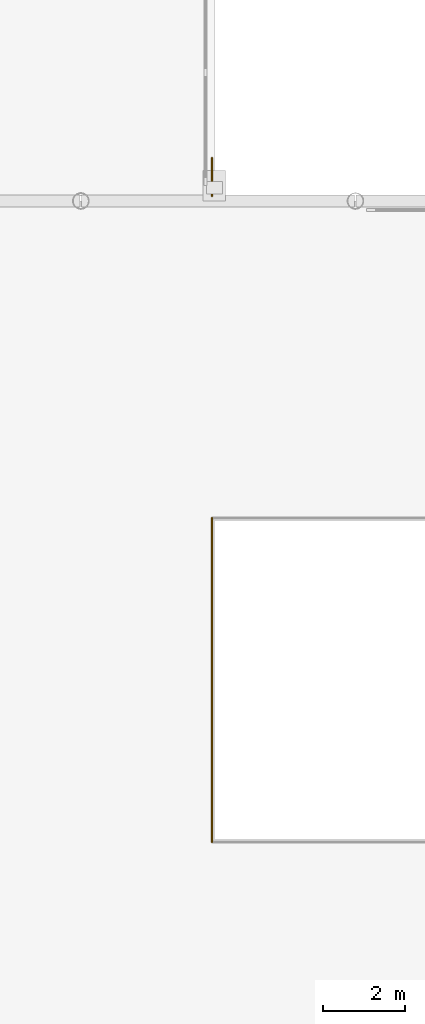
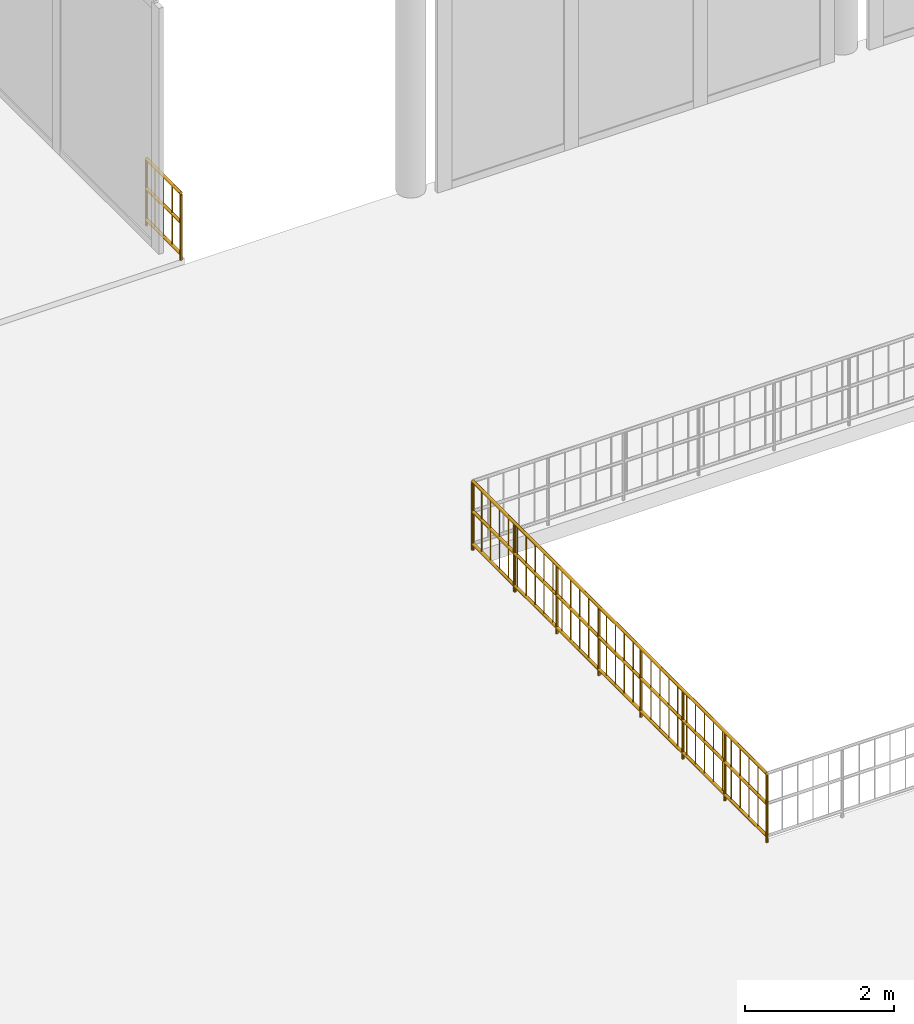
# One storey, part 88 of 98: 2 railings.
"""IFC4 building model written with IfcOpenShell, lengths in metres."""

from ifc_helpers import new_model, si_unit, direction, frame, origin, origin_2d, place, context, subcontext, project, spatial, circle, extrude, material, layer, layer_set, type_object, element, save


model = new_model("IFC4")

# Units and contexts
model_context = context("Model", 3, precision=1e-05, world=origin(), true_north=direction((0.0, 1.0)))
body_context = subcontext(model_context, "Body", "Model", "MODEL_VIEW")
ifc_project = project(units=[si_unit("LENGTHUNIT", "METRE"), si_unit("AREAUNIT", "SQUARE_METRE"), si_unit("VOLUMEUNIT", "CUBIC_METRE"), si_unit("PLANEANGLEUNIT", "RADIAN"), si_unit("MASSUNIT", "GRAM", prefix="KILO")], contexts=[model_context])

# Site, building, storey
site_placement = place(None, origin())
site = spatial("IfcSite", under=ifc_project, at=site_placement, CompositionType="ELEMENT")
building_placement = place(site_placement, origin())
building = spatial("IfcBuilding", under=site, at=building_placement, Name="Nabrawat Pavilion Hospital", CompositionType="ELEMENT")
storey_placement = place(building_placement, frame((0.0, 0.0, 10.199951171875)))
storey = spatial("IfcBuildingStorey", under=building, at=storey_placement, Name="L02", CompositionType="ELEMENT", Elevation=10.199951171875)

# Railings
ifc_material_1 = material(Name="Stainless Steel 316", Category="steel")
ifc_layer_1 = layer(ifc_material_1, 0.070068359375, Name="Stainless Steel 316")
ifc_layer_set_1 = layer_set([ifc_layer_1], Name="Stainless Steel 316")
railing_type_1 = type_object("IfcRailingType", Name="Exterior Clinical Terrace Safety Guardrail 1100", PredefinedType="GUARDRAIL", material=ifc_layer_set_1)
railing_1_placement = place(storey_placement, frame((75.5400390625, 39.1201171875, 0.0)))
element("IfcRailing", 1, at=railing_1_placement, inside=storey, type_object=railing_type_1, Name="L02 Courtyard Seismic Joint Corner Guardrail 03", PredefinedType="GUARDRAIL", context=body_context, shape_type="SweptSolid", body=[
    extrude(circle(Radius=0.02392578125, at=origin_2d()), frame((0.0, 0.0, 1.09619140625), z_axis=(0.0, 1.0, 0.0), x_axis=(-1.0, 0.0, 0.0)), (0.0, 0.0, 1.0), 0.929931640625),
    extrude(circle(Radius=0.02392578125, at=origin_2d()), frame((0.0, 0.0, 0.10009765625), z_axis=(0.0, 1.0, 0.0), x_axis=(-1.0, 0.0, 0.0)), (0.0, 0.0, 1.0), 0.929931640625),
    extrude(circle(Radius=0.02392578125, at=origin_2d()), frame((0.0, 0.0, 0.615966796875), z_axis=(0.0, 1.0, 0.0), x_axis=(-1.0, 0.0, 0.0)), (0.0, 0.0, 1.0), 0.929931640625),
    extrude(circle(Radius=0.008056640625, at=origin_2d()), frame((0.0, 0.232421875, 0.10009765625)), (0.0, 0.0, 1.0), 0.971923828125),
    extrude(circle(Radius=0.008056640625, at=origin_2d()), frame((0.0, 0.46484375, 0.10009765625)), (0.0, 0.0, 1.0), 0.971923828125),
    extrude(circle(Radius=0.008056640625, at=origin_2d()), frame((0.0, 0.697509765625, 0.10009765625)), (0.0, 0.0, 1.0), 0.971923828125),
    extrude(circle(Radius=0.02099609375, at=origin_2d()), origin(), (0.0, 0.0, 1.0), 1.072021484375),
    extrude(circle(Radius=0.02099609375, at=origin_2d()), frame((0.0, 0.929931640625, 0.0)), (0.0, 0.0, 1.0), 1.072021484375),
])
ifc_material_2 = material(Name="Laminated Toughened Glass and Stainless Steel", Category="steel")
ifc_layer_2 = layer(ifc_material_2, 0.080078125, Name="Laminated Toughened Glass and Stainless Steel")
ifc_layer_set_2 = layer_set([ifc_layer_2], Name="Laminated Toughened Glass and Stainless Steel")
railing_type_2 = type_object("IfcRailingType", Name="Main Hall Atrium Void Glass Balustrade 1150", PredefinedType="BALUSTRADE", material=ifc_layer_set_2)
railing_2_placement = place(storey_placement, frame((75.5400390625, 23.340087890625, 0.0)))
element("IfcRailing", 2, at=railing_2_placement, inside=storey, type_object=railing_type_2, Name="L02 Main Hall Atrium Gallery Balustrade West", PredefinedType="BALUSTRADE", context=body_context, shape_type="SweptSolid", body=[
    extrude(circle(Radius=0.02392578125, at=origin_2d()), frame((0.0, 0.0, 1.1259765625), z_axis=(0.0, 1.0, 0.0), x_axis=(-1.0, 0.0, 0.0)), (0.0, 0.0, 1.0), 7.919921875),
    extrude(circle(Radius=0.02392578125, at=origin_2d()), frame((0.0, 0.0, 0.10009765625), z_axis=(0.0, 1.0, 0.0), x_axis=(-1.0, 0.0, 0.0)), (0.0, 0.0, 1.0), 7.919921875),
    extrude(circle(Radius=0.02392578125, at=origin_2d()), frame((0.0, 0.0, 0.63232421875), z_axis=(0.0, 1.0, 0.0), x_axis=(-1.0, 0.0, 0.0)), (0.0, 0.0, 1.0), 7.919921875),
    extrude(circle(Radius=0.008056640625, at=origin_2d()), frame((0.0, 0.239990234375, 0.10009765625)), (0.0, 0.0, 1.0), 1.001708984375),
    extrude(circle(Radius=0.008056640625, at=origin_2d()), frame((0.0, 0.47998046875, 0.10009765625)), (0.0, 0.0, 1.0), 1.001708984375),
    extrude(circle(Radius=0.008056640625, at=origin_2d()), frame((0.0, 0.719970703125, 0.10009765625)), (0.0, 0.0, 1.0), 1.001708984375),
    extrude(circle(Radius=0.008056640625, at=origin_2d()), frame((0.0, 0.9599609375, 0.10009765625)), (0.0, 0.0, 1.0), 1.001708984375),
    extrude(circle(Radius=0.008056640625, at=origin_2d()), frame((0.0, 1.199951171875, 0.10009765625)), (0.0, 0.0, 1.0), 1.001708984375),
    extrude(circle(Radius=0.008056640625, at=origin_2d()), frame((0.0, 1.43994140625, 0.10009765625)), (0.0, 0.0, 1.0), 1.001708984375),
    extrude(circle(Radius=0.008056640625, at=origin_2d()), frame((0.0, 1.679931640625, 0.10009765625)), (0.0, 0.0, 1.0), 1.001708984375),
    extrude(circle(Radius=0.008056640625, at=origin_2d()), frame((0.0, 1.919921875, 0.10009765625)), (0.0, 0.0, 1.0), 1.001708984375),
    extrude(circle(Radius=0.008056640625, at=origin_2d()), frame((0.0, 2.159912109375, 0.10009765625)), (0.0, 0.0, 1.0), 1.001708984375),
    extrude(circle(Radius=0.008056640625, at=origin_2d()), frame((0.0, 2.39990234375, 0.10009765625)), (0.0, 0.0, 1.0), 1.001708984375),
    extrude(circle(Radius=0.008056640625, at=origin_2d()), frame((0.0, 2.639892578125, 0.10009765625)), (0.0, 0.0, 1.0), 1.001708984375),
    extrude(circle(Radius=0.008056640625, at=origin_2d()), frame((0.0, 2.8798828125, 0.10009765625)), (0.0, 0.0, 1.0), 1.001708984375),
    extrude(circle(Radius=0.008056640625, at=origin_2d()), frame((0.0, 3.119873046875, 0.10009765625)), (0.0, 0.0, 1.0), 1.001708984375),
    extrude(circle(Radius=0.008056640625, at=origin_2d()), frame((0.0, 3.599853515625, 0.10009765625)), (0.0, 0.0, 1.0), 1.001708984375),
    extrude(circle(Radius=0.008056640625, at=origin_2d()), frame((0.0, 3.83984375, 0.10009765625)), (0.0, 0.0, 1.0), 1.001708984375),
    extrude(circle(Radius=0.008056640625, at=origin_2d()), frame((0.0, 4.080078125, 0.10009765625)), (0.0, 0.0, 1.0), 1.001708984375),
    extrude(circle(Radius=0.008056640625, at=origin_2d()), frame((0.0, 4.320068359375, 0.10009765625)), (0.0, 0.0, 1.0), 1.001708984375),
    extrude(circle(Radius=0.008056640625, at=origin_2d()), frame((0.0, 4.800048828125, 0.10009765625)), (0.0, 0.0, 1.0), 1.001708984375),
    extrude(circle(Radius=0.008056640625, at=origin_2d()), frame((0.0, 5.0400390625, 0.10009765625)), (0.0, 0.0, 1.0), 1.001708984375),
    extrude(circle(Radius=0.008056640625, at=origin_2d()), frame((0.0, 5.280029296875, 0.10009765625)), (0.0, 0.0, 1.0), 1.001708984375),
    extrude(circle(Radius=0.008056640625, at=origin_2d()), frame((0.0, 5.52001953125, 0.10009765625)), (0.0, 0.0, 1.0), 1.001708984375),
    extrude(circle(Radius=0.008056640625, at=origin_2d()), frame((0.0, 5.760009765625, 0.10009765625)), (0.0, 0.0, 1.0), 1.001708984375),
    extrude(circle(Radius=0.008056640625, at=origin_2d()), frame((0.0, 6.0, 0.10009765625)), (0.0, 0.0, 1.0), 1.001708984375),
    extrude(circle(Radius=0.008056640625, at=origin_2d()), frame((0.0, 6.239990234375, 0.10009765625)), (0.0, 0.0, 1.0), 1.001708984375),
    extrude(circle(Radius=0.008056640625, at=origin_2d()), frame((0.0, 6.47998046875, 0.10009765625)), (0.0, 0.0, 1.0), 1.001708984375),
    extrude(circle(Radius=0.008056640625, at=origin_2d()), frame((0.0, 6.719970703125, 0.10009765625)), (0.0, 0.0, 1.0), 1.001708984375),
    extrude(circle(Radius=0.008056640625, at=origin_2d()), frame((0.0, 6.9599609375, 0.10009765625)), (0.0, 0.0, 1.0), 1.001708984375),
    extrude(circle(Radius=0.008056640625, at=origin_2d()), frame((0.0, 7.199951171875, 0.10009765625)), (0.0, 0.0, 1.0), 1.001708984375),
    extrude(circle(Radius=0.008056640625, at=origin_2d()), frame((0.0, 7.43994140625, 0.10009765625)), (0.0, 0.0, 1.0), 1.001708984375),
    extrude(circle(Radius=0.008056640625, at=origin_2d()), frame((0.0, 7.679931640625, 0.10009765625)), (0.0, 0.0, 1.0), 1.001708984375),
    extrude(circle(Radius=0.02099609375, at=origin_2d()), origin(), (0.0, 0.0, 1.0), 1.101806640625),
    extrude(circle(Radius=0.02099609375, at=origin_2d()), frame((0.0, 1.13134765625, 0.0)), (0.0, 0.0, 1.0), 1.101806640625),
    extrude(circle(Radius=0.02099609375, at=origin_2d()), frame((0.0, 2.262939453125, 0.0)), (0.0, 0.0, 1.0), 1.101806640625),
    extrude(circle(Radius=0.02099609375, at=origin_2d()), frame((0.0, 3.394287109375, 0.0)), (0.0, 0.0, 1.0), 1.101806640625),
    extrude(circle(Radius=0.02099609375, at=origin_2d()), frame((0.0, 4.525634765625, 0.0)), (0.0, 0.0, 1.0), 1.101806640625),
    extrude(circle(Radius=0.02099609375, at=origin_2d()), frame((0.0, 5.656982421875, 0.0)), (0.0, 0.0, 1.0), 1.101806640625),
    extrude(circle(Radius=0.02099609375, at=origin_2d()), frame((0.0, 6.78857421875, 0.0)), (0.0, 0.0, 1.0), 1.101806640625),
    extrude(circle(Radius=0.02099609375, at=origin_2d()), frame((0.0, 7.919921875, 0.0)), (0.0, 0.0, 1.0), 1.101806640625),
])

save(model, "model.ifc")
